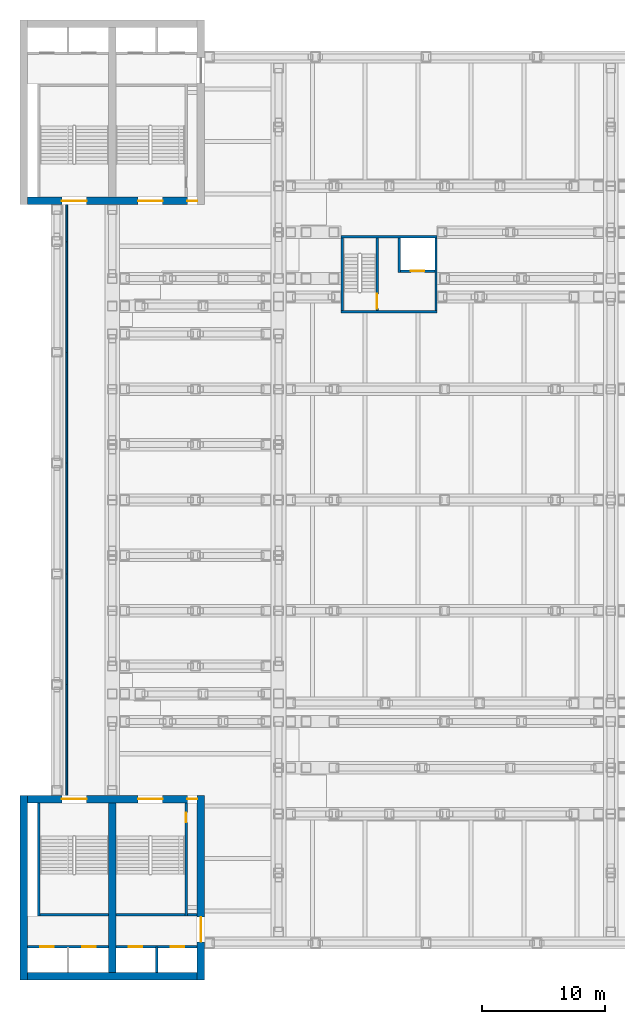
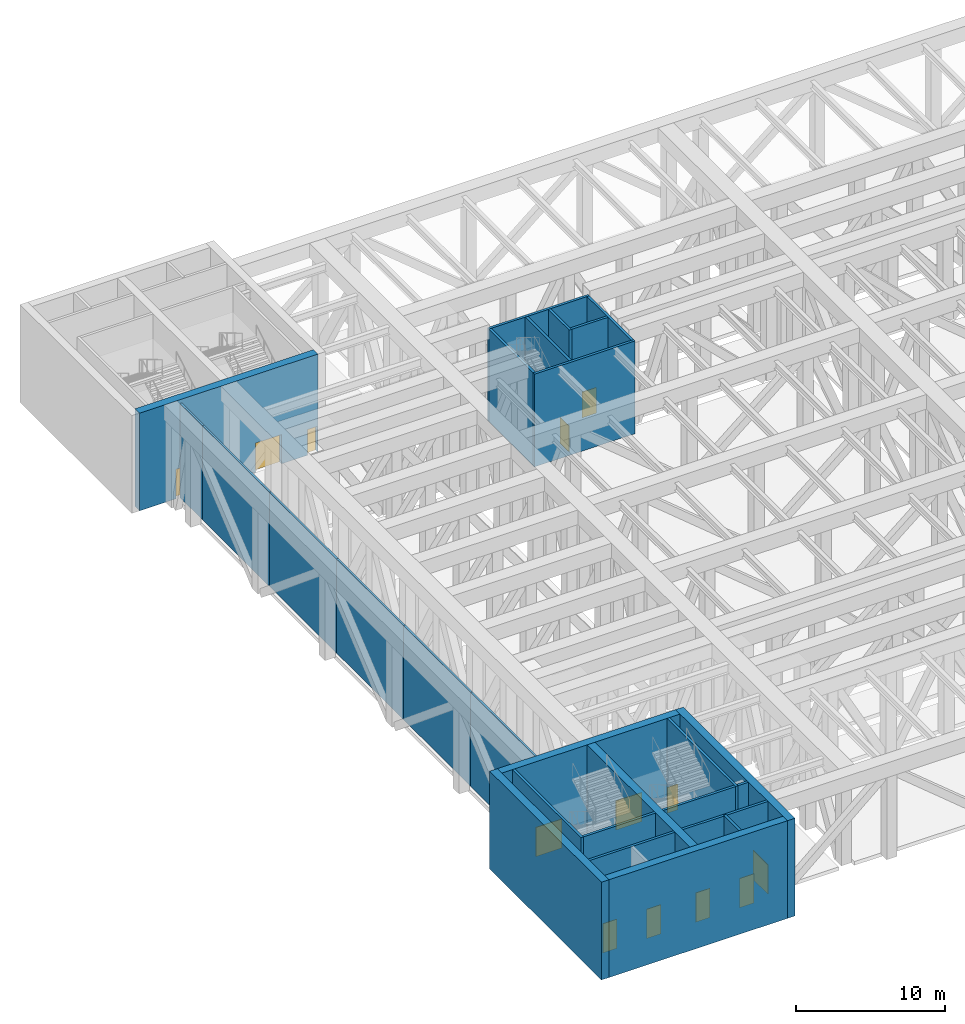
# One storey, part 8 of 20: 27 walls, 14 doors, 14 openings.
"""IFC4 building model written with IfcOpenShell, lengths in metres."""

from ifc_helpers import new_model, si_unit, direction, frame, frame_2d, origin, place, context, subcontext, project, spatial, rectangle, extrude, material, layer, layer_set, type_object, element, fill, save


model = new_model("IFC4")

# Units and contexts
model_context = context("Model", 3, precision=1e-05, world=origin(), true_north=direction((0.0, 1.0)))
body_context = subcontext(model_context, "Body", "Model", "MODEL_VIEW")
ifc_project = project(units=[si_unit("LENGTHUNIT", "METRE"), si_unit("AREAUNIT", "SQUARE_METRE"), si_unit("VOLUMEUNIT", "CUBIC_METRE"), si_unit("PLANEANGLEUNIT", "RADIAN"), si_unit("MASSUNIT", "GRAM", prefix="KILO")], contexts=[model_context])

# Site, building, storey
site_placement = place(None, origin())
site = spatial("IfcSite", under=ifc_project, at=site_placement, CompositionType="ELEMENT")
building_placement = place(site_placement, origin())
building = spatial("IfcBuilding", under=site, at=building_placement, Name="Corbelhall Arena Tower", CompositionType="ELEMENT")
storey_placement = place(building_placement, frame((0.0, 0.0, 52.0)))
storey = spatial("IfcBuildingStorey", under=building, at=storey_placement, Name="L07", CompositionType="ELEMENT", Elevation=52.0)

# Walls
ifc_material_1 = material(Name="Aluminium louvre panels on a steel frame", Category="steel")
ifc_layer_1 = layer(ifc_material_1, 0.14990234375)
ifc_layer_set_1 = layer_set([ifc_layer_1], Name="AR-PLANT-LOUVRE")
wall_type_1 = type_object("IfcWallType", Name="AR-PLANT-LOUVRE", PredefinedType="SOLIDWALL", material=ifc_layer_set_1)
for number, where, z_axis, x_axis, name in (
    (1, (-44.199951171875, -24.0, 0.0), (0.0, 0.0, 1.0), (0.0, 1.0, 0.0), "Plant louvre wall W1"),
    (2, (-44.199951171875, -15.0, 0.0), (0.0, 0.0, 1.0), (0.0, 1.0, 0.0), "Plant louvre wall W2"),
    (3, (-44.199951171875, -6.0, 0.0), (0.0, 0.0, 1.0), (0.0, 1.0, 0.0), "Plant louvre wall W3"),
    (4, (-44.199951171875, 3.0, 0.0), (0.0, 0.0, 1.0), (0.0, 1.0, 0.0), "Plant louvre wall W4"),
    (5, (-44.199951171875, 12.0, 0.0), (0.0, 0.0, 1.0), (0.0, 1.0, 0.0), "Plant louvre wall W5"),
):
    element("IfcWall", number, at=place(storey_placement, frame(where, z_axis=z_axis, x_axis=x_axis)), inside=storey, type_object=wall_type_1, Name=name, PredefinedType="SOLIDWALL", context=body_context, shape_type="SweptSolid", body=[
        extrude(rectangle(XDim=9.0, YDim=0.14990234375, at=frame_2d((4.5, 0.0))), origin(), (0.0, 0.0, 1.0), 7.699951171875),
    ])
wall_1_placement = place(storey_placement, frame((-44.199951171875, 21.0, 0.0), z_axis=(0.0, 0.0, 1.0), x_axis=(0.0, 1.0, 0.0)))
element("IfcWall", 6, at=wall_1_placement, inside=storey, type_object=wall_type_1, Name="Plant louvre wall W6", PredefinedType="SOLIDWALL", context=body_context, shape_type="SweptSolid", body=[
    extrude(rectangle(XDim=3.0, YDim=0.14990234375, at=frame_2d((1.5, 0.0))), origin(), (0.0, 0.0, 1.0), 7.699951171875),
])
ifc_material_2 = material(Name="Gypsum board on steel studs", Category="steel")
ifc_layer_2 = layer(ifc_material_2, 0.199951171875)
ifc_layer_set_2 = layer_set([ifc_layer_2], Name="AR-ROOM-WALL")
wall_type_2 = type_object("IfcWallType", Name="AR-ROOM-WALL", PredefinedType="PARTITIONING", material=ifc_layer_set_2)
wall_2_placement = place(storey_placement, frame((-34.409912109375, -33.699951171875, 0.0), z_axis=(0.0, 0.0, 1.0), x_axis=(1.0, 0.0, 0.0)))
element("IfcWall", 7, at=wall_2_placement, inside=storey, type_object=wall_type_2, Name="Mechanical plant room 04 wall", PredefinedType="PARTITIONING", context=body_context, shape_type="SweptSolid", body=[
    extrude(rectangle(XDim=0.809814453125, YDim=0.199951171875, at=frame_2d((0.40478515625, 0.0))), origin(), (0.0, 0.0, 1.0), 8.0),
])

# Wall, openings, doors
ifc_material_3 = material(Name="Reinforced concrete C40/50", Category="concrete")
ifc_layer_3 = layer(ifc_material_3, 0.199951171875)
ifc_layer_set_3 = layer_set([ifc_layer_3], Name="AR-SHAFT-WALL")
wall_type_3 = type_object("IfcWallType", Name="AR-SHAFT-WALL", PredefinedType="SHEAR", material=ifc_layer_set_3)
wall_3_placement = place(storey_placement, frame((-47.39990234375, -36.300048828125, 0.0), z_axis=(0.0, 0.0, 1.0), x_axis=(1.0, 0.0, 0.0)))
wall_3 = element("IfcWall", 8, at=wall_3_placement, inside=storey, type_object=wall_type_3, Name="Lift lobby wall SW", PredefinedType="SHEAR", context=body_context, shape_type="SweptSolid", body=[
    extrude(rectangle(XDim=6.599853515625, YDim=0.199951171875, at=frame_2d((3.2998046875, 0.0))), origin(), (0.0, 0.0, 1.0), 8.0),
])
opening_1_placement = place(wall_3_placement, frame((1.050048828125, 0.0, 0.0)))
opening_1 = element("IfcOpeningElement", 9, at=opening_1_placement, cuts=wall_3, Name="Opening LD0284", PredefinedType="OPENING", context=body_context, shape_type="SweptSolid", body=[
    extrude(rectangle(XDim=1.10009765625, YDim=2.39990234375, at=frame_2d((0.550048828125, 1.199951171875))), frame((0.0, 0.10009765625, 0.0), z_axis=(0.0, -1.0, 0.0), x_axis=(1.0, 0.0, 0.0)), (0.0, 0.0, 1.0), 0.199951171875),
])
opening_2_placement = place(wall_3_placement, frame((4.449951171875, 0.0, 0.0)))
opening_2 = element("IfcOpeningElement", 10, at=opening_2_placement, cuts=wall_3, Name="Opening LD0285", PredefinedType="OPENING", context=body_context, shape_type="SweptSolid", body=[
    extrude(rectangle(XDim=1.10009765625, YDim=2.39990234375, at=frame_2d((0.550048828125, 1.199951171875))), frame((0.0, 0.10009765625, 0.0), z_axis=(0.0, -1.0, 0.0), x_axis=(1.0, 0.0, 0.0)), (0.0, 0.0, 1.0), 0.199951171875),
])
ifc_material_4 = material(Name="Stainless steel A4", Category="steel")
door_type_1 = type_object("IfcDoorType", Name="AR-LANDING-DOOR", OperationType="DOUBLE_DOOR_SLIDING", PredefinedType="DOOR", material=ifc_material_4)
door_1_placement = place(opening_1_placement, frame((1.10009765625, 0.0, 0.0), z_axis=(0.0, 0.0, 1.0), x_axis=(-1.0, 0.0, 0.0)))
door_1 = element("IfcDoor", 11, at=door_1_placement, inside=storey, type_object=door_type_1, Name="Landing door SW LF3 L07", OperationType="DOUBLE_DOOR_SLIDING", OverallHeight=2.39990234375, OverallWidth=1.10009765625, PredefinedType="DOOR", context=body_context, shape_type="SweptSolid", body=[
    extrude(rectangle(XDim=1.10009765625, YDim=2.39990234375, at=frame_2d((0.550048828125, 1.199951171875))), frame((0.0, 0.02490234375, 0.0), z_axis=(0.0, -1.0, 0.0), x_axis=(1.0, 0.0, 0.0)), (0.0, 0.0, 1.0), 0.050048828125),
])
fill(opening_1, door_1)
door_2_placement = place(opening_2_placement, frame((1.10009765625, 0.0, 0.0), z_axis=(0.0, 0.0, 1.0), x_axis=(-1.0, 0.0, 0.0)))
door_2 = element("IfcDoor", 12, at=door_2_placement, inside=storey, type_object=door_type_1, Name="Landing door SW LF4 L07", OperationType="DOUBLE_DOOR_SLIDING", OverallHeight=2.39990234375, OverallWidth=1.10009765625, PredefinedType="DOOR", context=body_context, shape_type="SweptSolid", body=[
    extrude(rectangle(XDim=1.10009765625, YDim=2.39990234375, at=frame_2d((0.550048828125, 1.199951171875))), frame((0.0, 0.02490234375, 0.0), z_axis=(0.0, -1.0, 0.0), x_axis=(1.0, 0.0, 0.0)), (0.0, 0.0, 1.0), 0.050048828125),
])
fill(opening_2, door_2)

wall_4_placement = place(storey_placement, frame((-40.199951171875, -36.300048828125, 0.0), z_axis=(0.0, 0.0, 1.0), x_axis=(1.0, 0.0, 0.0)))
wall_4 = element("IfcWall", 13, at=wall_4_placement, inside=storey, type_object=wall_type_3, Name="Lift lobby wall SW", PredefinedType="SHEAR", context=body_context, shape_type="SweptSolid", body=[
    extrude(rectangle(XDim=6.599853515625, YDim=0.199951171875, at=frame_2d((3.2998046875, 0.0))), origin(), (0.0, 0.0, 1.0), 8.0),
])
opening_3_placement = place(wall_4_placement, frame((1.050048828125, 0.0, 0.0)))
opening_3 = element("IfcOpeningElement", 14, at=opening_3_placement, cuts=wall_4, Name="Opening LD0286", PredefinedType="OPENING", context=body_context, shape_type="SweptSolid", body=[
    extrude(rectangle(XDim=1.10009765625, YDim=2.39990234375, at=frame_2d((0.550048828125, 1.199951171875))), frame((0.0, 0.10009765625, 0.0), z_axis=(0.0, -1.0, 0.0), x_axis=(1.0, 0.0, 0.0)), (0.0, 0.0, 1.0), 0.199951171875),
])
opening_4_placement = place(wall_4_placement, frame((4.449951171875, 0.0, 0.0)))
opening_4 = element("IfcOpeningElement", 15, at=opening_4_placement, cuts=wall_4, Name="Opening LD0287", PredefinedType="OPENING", context=body_context, shape_type="SweptSolid", body=[
    extrude(rectangle(XDim=1.10009765625, YDim=2.39990234375, at=frame_2d((0.550048828125, 1.199951171875))), frame((0.0, 0.10009765625, 0.0), z_axis=(0.0, -1.0, 0.0), x_axis=(1.0, 0.0, 0.0)), (0.0, 0.0, 1.0), 0.199951171875),
])
door_3_placement = place(opening_3_placement, frame((1.10009765625, 0.0, 0.0), z_axis=(0.0, 0.0, 1.0), x_axis=(-1.0, 0.0, 0.0)))
door_3 = element("IfcDoor", 16, at=door_3_placement, inside=storey, type_object=door_type_1, Name="Landing door SW LF1 L07", OperationType="DOUBLE_DOOR_SLIDING", OverallHeight=2.39990234375, OverallWidth=1.10009765625, PredefinedType="DOOR", context=body_context, shape_type="SweptSolid", body=[
    extrude(rectangle(XDim=1.10009765625, YDim=2.39990234375, at=frame_2d((0.550048828125, 1.199951171875))), frame((0.0, 0.02490234375, 0.0), z_axis=(0.0, -1.0, 0.0), x_axis=(1.0, 0.0, 0.0)), (0.0, 0.0, 1.0), 0.050048828125),
])
fill(opening_3, door_3)
door_4_placement = place(opening_4_placement, frame((1.10009765625, 0.0, 0.0), z_axis=(0.0, 0.0, 1.0), x_axis=(-1.0, 0.0, 0.0)))
door_4 = element("IfcDoor", 17, at=door_4_placement, inside=storey, type_object=door_type_1, Name="Landing door SW LF2 L07", OperationType="DOUBLE_DOOR_SLIDING", OverallHeight=2.39990234375, OverallWidth=1.10009765625, PredefinedType="DOOR", context=body_context, shape_type="SweptSolid", body=[
    extrude(rectangle(XDim=1.10009765625, YDim=2.39990234375, at=frame_2d((0.550048828125, 1.199951171875))), frame((0.0, 0.02490234375, 0.0), z_axis=(0.0, -1.0, 0.0), x_axis=(1.0, 0.0, 0.0)), (0.0, 0.0, 1.0), 0.050048828125),
])
fill(opening_4, door_4)

# Wall
wall_5_placement = place(storey_placement, frame((-36.89990234375, -38.39990234375, 0.0), z_axis=(0.0, 0.0, 1.0), x_axis=(0.0, 1.0, 0.0)))
element("IfcWall", 18, at=wall_5_placement, inside=storey, type_object=wall_type_3, Name="Shaft wall SW", PredefinedType="SHEAR", context=body_context, shape_type="SweptSolid", body=[
    extrude(rectangle(XDim=2.099853515625, YDim=0.199951171875, at=frame_2d((1.0498046875, 0.0))), origin(), (0.0, 0.0, 1.0), 8.0),
])

# Wall, opening, door
ifc_layer_4 = layer(ifc_material_3, 0.199951171875)
ifc_layer_set_4 = layer_set([ifc_layer_4], Name="AR-STAIR-WALL")
wall_type_4 = type_object("IfcWallType", Name="AR-STAIR-WALL", PredefinedType="SOLIDWALL", material=ifc_layer_set_4)
wall_6_placement = place(storey_placement, frame((-34.510009765625, -33.800048828125, 0.0), z_axis=(0.0, 0.0, 1.0), x_axis=(0.0, 1.0, 0.0)))
wall_6 = element("IfcWall", 19, at=wall_6_placement, inside=storey, type_object=wall_type_4, Name="Stair AS7 wall", PredefinedType="SOLIDWALL", context=body_context, shape_type="SweptSolid", body=[
    extrude(rectangle(XDim=9.199951171875, YDim=0.199951171875, at=frame_2d((4.60009765625, 0.0))), origin(), (0.0, 0.0, 1.0), 8.0),
])
opening_5_placement = place(wall_6_placement, frame((7.60009765625, 0.0, 0.0)))
opening_5 = element("IfcOpeningElement", 20, at=opening_5_placement, cuts=wall_6, Name="Opening DA0474", PredefinedType="OPENING", context=body_context, shape_type="SweptSolid", body=[
    extrude(rectangle(XDim=0.800048828125, YDim=2.10009765625, at=frame_2d((0.39990234375, 1.050048828125))), frame((0.0, 0.10009765625, 0.0), z_axis=(0.0, -1.0, 0.0), x_axis=(1.0, 0.0, 0.0)), (0.0, 0.0, 1.0), 0.199951171875),
])
ifc_material_5 = material(Name="Steel", Category="steel")
door_type_2 = type_object("IfcDoorType", Name="AR-PLANT-DOOR", OperationType="SINGLE_SWING_LEFT", PredefinedType="DOOR", material=ifc_material_5)
door_5_placement = place(opening_5_placement, origin())
door_5 = element("IfcDoor", 21, at=door_5_placement, inside=storey, type_object=door_type_2, Name="Mechanical plant room 04 stair door", OperationType="SINGLE_SWING_LEFT", OverallHeight=2.10009765625, OverallWidth=0.800048828125, PredefinedType="DOOR", context=body_context, shape_type="SweptSolid", body=[
    extrude(rectangle(XDim=0.800048828125, YDim=2.10009765625, at=frame_2d((0.39990234375, 1.050048828125))), frame((0.0, 0.02490234375, 0.0), z_axis=(0.0, -1.0, 0.0), x_axis=(1.0, 0.0, 0.0)), (0.0, 0.0, 1.0), 0.050048828125),
])
fill(opening_5, door_5)

# Walls
wall_7_placement = place(storey_placement, frame((-40.199951171875, -33.699951171875, 0.0), z_axis=(0.0, 0.0, 1.0), x_axis=(1.0, 0.0, 0.0)))
element("IfcWall", 22, at=wall_7_placement, inside=storey, type_object=wall_type_4, Name="Stair AS7 wall", PredefinedType="SOLIDWALL", context=body_context, shape_type="SweptSolid", body=[
    extrude(rectangle(XDim=5.58984375, YDim=0.199951171875, at=frame_2d((2.794921875, 0.0))), origin(), (0.0, 0.0, 1.0), 8.0),
])
wall_8_placement = place(storey_placement, frame((-46.489990234375, -33.800048828125, 0.0), z_axis=(0.0, 0.0, 1.0), x_axis=(0.0, 1.0, 0.0)))
element("IfcWall", 23, at=wall_8_placement, inside=storey, type_object=wall_type_4, Name="Stair AS8 wall", PredefinedType="SOLIDWALL", context=body_context, shape_type="SweptSolid", body=[
    extrude(rectangle(XDim=9.199951171875, YDim=0.199951171875, at=frame_2d((4.60009765625, 0.0))), origin(), (0.0, 0.0, 1.0), 8.0),
])
wall_9_placement = place(storey_placement, frame((-46.389892578125, -33.699951171875, 0.0), z_axis=(0.0, 0.0, 1.0), x_axis=(1.0, 0.0, 0.0)))
element("IfcWall", 24, at=wall_9_placement, inside=storey, type_object=wall_type_4, Name="Stair AS8 wall", PredefinedType="SOLIDWALL", context=body_context, shape_type="SweptSolid", body=[
    extrude(rectangle(XDim=5.58984375, YDim=0.199951171875, at=frame_2d((2.794921875, 0.0))), origin(), (0.0, 0.0, 1.0), 8.0),
])
ifc_material_6 = material(Name="Concrete C40/50", Category="concrete")
ifc_layer_5 = layer(ifc_material_6, 0.199951171875)
ifc_layer_set_5 = layer_set([ifc_layer_5], Name="IN-W-EAR200")
wall_type_5 = type_object("IfcWallType", Name="IN-W-EAR200", PredefinedType="SOLIDWALL", material=ifc_layer_set_5)
for number, where, z_axis, x_axis, name in (
    (25, (-21.89990234375, 15.300048828125, 0.0), (0.0, 0.0, 1.0), (1.0, 0.0, 0.0), "Fire service turret wall south"),
    (26, (-21.89990234375, 21.39990234375, 0.0), (0.0, 0.0, 1.0), (1.0, 0.0, 0.0), "Fire service turret wall north"),
):
    element("IfcWall", number, at=place(storey_placement, frame(where, z_axis=z_axis, x_axis=x_axis)), inside=storey, type_object=wall_type_5, Name=name, PredefinedType="SOLIDWALL", context=body_context, shape_type="SweptSolid", body=[
        extrude(rectangle(XDim=7.7998046875, YDim=0.199951171875, at=frame_2d((3.89990234375, 0.0))), origin(), (0.0, 0.0, 1.0), 7.590087890625),
    ])
for number, where, z_axis, x_axis, name in (
    (27, (-21.800048828125, 15.39990234375, 0.0), (0.0, 0.0, 1.0), (0.0, 1.0, 0.0), "Fire service turret wall west"),
    (28, (-14.199951171875, 15.39990234375, 0.0), (0.0, 0.0, 1.0), (0.0, 1.0, 0.0), "Fire service turret wall east"),
):
    element("IfcWall", number, at=place(storey_placement, frame(where, z_axis=z_axis, x_axis=x_axis)), inside=storey, type_object=wall_type_5, Name=name, PredefinedType="SOLIDWALL", context=body_context, shape_type="SweptSolid", body=[
        extrude(rectangle(XDim=5.900146484375, YDim=0.199951171875, at=frame_2d((2.9501953125, 0.0))), origin(), (0.0, 0.0, 1.0), 7.590087890625),
    ])

# Wall, opening, door
wall_10_placement = place(storey_placement, frame((-18.989990234375, 15.39990234375, 0.0), z_axis=(0.0, 0.0, 1.0), x_axis=(0.0, 1.0, 0.0)))
wall_10 = element("IfcWall", 29, at=wall_10_placement, inside=storey, type_object=wall_type_5, Name="Fire service turret wall stair", PredefinedType="SOLIDWALL", context=body_context, shape_type="SweptSolid", body=[
    extrude(rectangle(XDim=5.900146484375, YDim=0.199951171875, at=frame_2d((2.9501953125, 0.0))), origin(), (0.0, 0.0, 1.0), 7.590087890625),
])
opening_6_placement = place(wall_10_placement, frame((0.14990234375, 0.0, 0.0)))
opening_6 = element("IfcOpeningElement", 30, at=opening_6_placement, cuts=wall_10, Name="Opening E071", PredefinedType="OPENING", context=body_context, shape_type="SweptSolid", body=[
    extrude(rectangle(XDim=1.199951171875, YDim=2.10009765625, at=frame_2d((0.60009765625, 1.050048828125))), frame((0.0, 0.10009765625, 0.0), z_axis=(0.0, -1.0, 0.0), x_axis=(1.0, 0.0, 0.0)), (0.0, 0.0, 1.0), 0.199951171875),
])
ifc_material_7 = material(Name="Steel door set", Category="steel")
door_type_3 = type_object("IfcDoorType", Name="IN-D-ST120", OperationType="NOTDEFINED", PredefinedType="DOOR", material=ifc_material_7)
door_6_placement = place(opening_6_placement, origin())
door_6 = element("IfcDoor", 31, at=door_6_placement, inside=storey, type_object=door_type_3, Name="Stair door to fire service lobby", OperationType="SINGLE_SWING_LEFT", OverallHeight=2.10009765625, OverallWidth=1.199951171875, PredefinedType="DOOR", context=body_context, shape_type="SweptSolid", body=[
    extrude(rectangle(XDim=1.199951171875, YDim=2.10009765625, at=frame_2d((0.60009765625, 1.050048828125))), frame((0.0, 0.02490234375, 0.0), z_axis=(0.0, -1.0, 0.0), x_axis=(1.0, 0.0, 0.0)), (0.0, 0.0, 1.0), 0.050048828125),
])
fill(opening_6, door_6)

# Wall
wall_11_placement = place(storey_placement, frame((-17.199951171875, 18.5, 0.0), z_axis=(0.0, 0.0, 1.0), x_axis=(0.0, 1.0, 0.0)))
element("IfcWall", 32, at=wall_11_placement, inside=storey, type_object=wall_type_5, Name="Fire service turret wall hoistway west", PredefinedType="SOLIDWALL", context=body_context, shape_type="SweptSolid", body=[
    extrude(rectangle(XDim=2.800048828125, YDim=0.199951171875, at=frame_2d((1.39990234375, 0.0))), origin(), (0.0, 0.0, 1.0), 7.590087890625),
])

# Wall, opening, door
wall_12_placement = place(storey_placement, frame((-17.10009765625, 18.60009765625, 0.0), z_axis=(0.0, 0.0, 1.0), x_axis=(1.0, 0.0, 0.0)))
wall_12 = element("IfcWall", 33, at=wall_12_placement, inside=storey, type_object=wall_type_5, Name="Fire service turret wall hoistway south", PredefinedType="SOLIDWALL", context=body_context, shape_type="SweptSolid", body=[
    extrude(rectangle(XDim=2.800048828125, YDim=0.199951171875, at=frame_2d((1.39990234375, 0.0))), origin(), (0.0, 0.0, 1.0), 7.590087890625),
])
opening_7_placement = place(wall_12_placement, frame((0.85009765625, 0.0, 0.0)))
opening_7 = element("IfcOpeningElement", 34, at=opening_7_placement, cuts=wall_12, Name="Opening LD", PredefinedType="OPENING", context=body_context, shape_type="SweptSolid", body=[
    extrude(rectangle(XDim=1.10009765625, YDim=2.10009765625, at=frame_2d((0.550048828125, 1.050048828125))), frame((0.0, 0.10009765625, 0.0), z_axis=(0.0, -1.0, 0.0), x_axis=(1.0, 0.0, 0.0)), (0.0, 0.0, 1.0), 0.199951171875),
])
door_type_4 = type_object("IfcDoorType", Name="IN-D-LD110", OperationType="NOTDEFINED", PredefinedType="DOOR", material=ifc_material_7)
door_7_placement = place(opening_7_placement, origin())
door_7 = element("IfcDoor", 35, at=door_7_placement, inside=storey, type_object=door_type_4, Name="Landing door FS1", OperationType="SLIDING_TO_LEFT", OverallHeight=2.10009765625, OverallWidth=1.10009765625, PredefinedType="DOOR", context=body_context, shape_type="SweptSolid", body=[
    extrude(rectangle(XDim=1.10009765625, YDim=2.10009765625, at=frame_2d((0.550048828125, 1.050048828125))), frame((0.0, 0.02490234375, 0.0), z_axis=(0.0, -1.0, 0.0), x_axis=(1.0, 0.0, 0.0)), (0.0, 0.0, 1.0), 0.050048828125),
])
fill(opening_7, door_7)

# Wall, openings, doors
ifc_material_8 = material(Name="Concrete C80/95", Category="concrete")
ifc_layer_6 = layer(ifc_material_8, 0.60009765625)
ifc_layer_set_6 = layer_set([ifc_layer_6], Name="PO-CORE-WALL")
wall_type_6 = type_object("IfcWallType", Name="PO-CORE-WALL", PredefinedType="SHEAR", material=ifc_layer_set_6)
wall_13_placement = place(storey_placement, frame((-47.39990234375, 24.300048828125, 0.0), z_axis=(0.0, 0.0, 1.0), x_axis=(1.0, 0.0, 0.0)))
wall_13 = element("IfcWall", 36, at=wall_13_placement, inside=storey, type_object=wall_type_6, Name="CORE NW WALL S L07", PredefinedType="SHEAR", context=body_context, shape_type="SweptSolid", body=[
    extrude(rectangle(XDim=13.7998046875, YDim=0.60009765625, at=frame_2d((6.89990234375, 0.0))), origin(), (0.0, 0.0, 1.0), 8.0),
])
opening_8_placement = place(wall_13_placement, frame((8.9951171875, 0.0, 0.0)))
opening_8 = element("IfcOpeningElement", 37, at=opening_8_placement, cuts=wall_13, Name="Opening DA0076", PredefinedType="OPENING", context=body_context, shape_type="SweptSolid", body=[
    extrude(rectangle(XDim=2.0, YDim=2.39990234375, at=frame_2d((1.0, 1.199951171875))), frame((0.0, 0.300048828125, 0.0), z_axis=(0.0, -1.0, 0.0), x_axis=(1.0, 0.0, 0.0)), (0.0, 0.0, 1.0), 0.60009765625),
])
opening_9_placement = place(wall_13_placement, frame((2.804931640625, 0.0, 0.0)))
opening_9 = element("IfcOpeningElement", 38, at=opening_9_placement, cuts=wall_13, Name="Opening DA0084", PredefinedType="OPENING", context=body_context, shape_type="SweptSolid", body=[
    extrude(rectangle(XDim=2.0, YDim=2.39990234375, at=frame_2d((1.0, 1.199951171875))), frame((0.0, 0.300048828125, 0.0), z_axis=(0.0, -1.0, 0.0), x_axis=(1.0, 0.0, 0.0)), (0.0, 0.0, 1.0), 0.60009765625),
])
opening_10_placement = place(wall_13_placement, frame((12.9951171875, 0.0, 0.0)))
opening_10 = element("IfcOpeningElement", 39, at=opening_10_placement, cuts=wall_13, Name="Opening DA0469", PredefinedType="OPENING", context=body_context, shape_type="SweptSolid", body=[
    extrude(rectangle(XDim=0.800048828125, YDim=2.10009765625, at=frame_2d((0.39990234375, 1.050048828125))), frame((0.0, 0.300048828125, 0.0), z_axis=(0.0, -1.0, 0.0), x_axis=(1.0, 0.0, 0.0)), (0.0, 0.0, 1.0), 0.60009765625),
])
door_8_placement = place(opening_10_placement, origin())
door_8 = element("IfcDoor", 40, at=door_8_placement, inside=storey, type_object=door_type_2, Name="Mechanical plant room 02 door", OperationType="SINGLE_SWING_LEFT", OverallHeight=2.10009765625, OverallWidth=0.800048828125, PredefinedType="DOOR", context=body_context, shape_type="SweptSolid", body=[
    extrude(rectangle(XDim=0.800048828125, YDim=2.10009765625, at=frame_2d((0.39990234375, 1.050048828125))), frame((0.0, 0.02490234375, 0.0), z_axis=(0.0, -1.0, 0.0), x_axis=(1.0, 0.0, 0.0)), (0.0, 0.0, 1.0), 0.050048828125),
])
fill(opening_10, door_8)
ifc_material_9 = material(Name="Steel and glass", Category="steel")
door_type_5 = type_object("IfcDoorType", Name="AR-STAIR-DOOR", OperationType="DOUBLE_DOOR_SINGLE_SWING", PredefinedType="DOOR", material=ifc_material_9)
door_9_placement = place(opening_8_placement, origin())
door_9 = element("IfcDoor", 41, at=door_9_placement, inside=storey, type_object=door_type_5, Name="Stair AS3 door", OperationType="DOUBLE_DOOR_SINGLE_SWING", OverallHeight=2.39990234375, OverallWidth=2.0, PredefinedType="DOOR", context=body_context, shape_type="SweptSolid", body=[
    extrude(rectangle(XDim=2.0, YDim=2.39990234375, at=frame_2d((1.0, 1.199951171875))), frame((0.0, 0.02490234375, 0.0), z_axis=(0.0, -1.0, 0.0), x_axis=(1.0, 0.0, 0.0)), (0.0, 0.0, 1.0), 0.050048828125),
])
fill(opening_8, door_9)
door_10_placement = place(opening_9_placement, origin())
door_10 = element("IfcDoor", 42, at=door_10_placement, inside=storey, type_object=door_type_5, Name="Stair AS4 door", OperationType="DOUBLE_DOOR_SINGLE_SWING", OverallHeight=2.39990234375, OverallWidth=2.0, PredefinedType="DOOR", context=body_context, shape_type="SweptSolid", body=[
    extrude(rectangle(XDim=2.0, YDim=2.39990234375, at=frame_2d((1.0, 1.199951171875))), frame((0.0, 0.02490234375, 0.0), z_axis=(0.0, -1.0, 0.0), x_axis=(1.0, 0.0, 0.0)), (0.0, 0.0, 1.0), 0.050048828125),
])
fill(opening_9, door_10)

wall_14_placement = place(storey_placement, frame((-47.39990234375, -24.300048828125, 0.0), z_axis=(0.0, 0.0, 1.0), x_axis=(1.0, 0.0, 0.0)))
wall_14 = element("IfcWall", 43, at=wall_14_placement, inside=storey, type_object=wall_type_6, Name="CORE SW WALL N L07", PredefinedType="SHEAR", context=body_context, shape_type="SweptSolid", body=[
    extrude(rectangle(XDim=13.7998046875, YDim=0.60009765625, at=frame_2d((6.89990234375, 0.0))), origin(), (0.0, 0.0, 1.0), 8.0),
])
opening_11_placement = place(wall_14_placement, frame((8.9951171875, 0.0, 0.0)))
opening_11 = element("IfcOpeningElement", 44, at=opening_11_placement, cuts=wall_14, Name="Opening DA0108", PredefinedType="OPENING", context=body_context, shape_type="SweptSolid", body=[
    extrude(rectangle(XDim=2.0, YDim=2.39990234375, at=frame_2d((1.0, 1.199951171875))), frame((0.0, 0.300048828125, 0.0), z_axis=(0.0, -1.0, 0.0), x_axis=(1.0, 0.0, 0.0)), (0.0, 0.0, 1.0), 0.60009765625),
])
opening_12_placement = place(wall_14_placement, frame((2.804931640625, 0.0, 0.0)))
opening_12 = element("IfcOpeningElement", 45, at=opening_12_placement, cuts=wall_14, Name="Opening DA0116", PredefinedType="OPENING", context=body_context, shape_type="SweptSolid", body=[
    extrude(rectangle(XDim=2.0, YDim=2.39990234375, at=frame_2d((1.0, 1.199951171875))), frame((0.0, 0.300048828125, 0.0), z_axis=(0.0, -1.0, 0.0), x_axis=(1.0, 0.0, 0.0)), (0.0, 0.0, 1.0), 0.60009765625),
])
opening_13_placement = place(wall_14_placement, frame((12.9951171875, 0.0, 0.0)))
opening_13 = element("IfcOpeningElement", 46, at=opening_13_placement, cuts=wall_14, Name="Opening DA0473", PredefinedType="OPENING", context=body_context, shape_type="SweptSolid", body=[
    extrude(rectangle(XDim=0.800048828125, YDim=2.10009765625, at=frame_2d((0.39990234375, 1.050048828125))), frame((0.0, 0.300048828125, 0.0), z_axis=(0.0, -1.0, 0.0), x_axis=(1.0, 0.0, 0.0)), (0.0, 0.0, 1.0), 0.60009765625),
])
door_11_placement = place(opening_13_placement, origin())
door_11 = element("IfcDoor", 47, at=door_11_placement, inside=storey, type_object=door_type_2, Name="Mechanical plant room 04 door", OperationType="SINGLE_SWING_LEFT", OverallHeight=2.10009765625, OverallWidth=0.800048828125, PredefinedType="DOOR", context=body_context, shape_type="SweptSolid", body=[
    extrude(rectangle(XDim=0.800048828125, YDim=2.10009765625, at=frame_2d((0.39990234375, 1.050048828125))), frame((0.0, 0.02490234375, 0.0), z_axis=(0.0, -1.0, 0.0), x_axis=(1.0, 0.0, 0.0)), (0.0, 0.0, 1.0), 0.050048828125),
])
fill(opening_13, door_11)
door_12_placement = place(opening_11_placement, frame((2.0, 0.0, 0.0), z_axis=(0.0, 0.0, 1.0), x_axis=(-1.0, 0.0, 0.0)))
door_12 = element("IfcDoor", 48, at=door_12_placement, inside=storey, type_object=door_type_5, Name="Stair AS7 door", OperationType="DOUBLE_DOOR_SINGLE_SWING", OverallHeight=2.39990234375, OverallWidth=2.0, PredefinedType="DOOR", context=body_context, shape_type="SweptSolid", body=[
    extrude(rectangle(XDim=2.0, YDim=2.39990234375, at=frame_2d((1.0, 1.199951171875))), frame((0.0, 0.02490234375, 0.0), z_axis=(0.0, -1.0, 0.0), x_axis=(1.0, 0.0, 0.0)), (0.0, 0.0, 1.0), 0.050048828125),
])
fill(opening_11, door_12)
door_13_placement = place(opening_12_placement, frame((2.0, 0.0, 0.0), z_axis=(0.0, 0.0, 1.0), x_axis=(-1.0, 0.0, 0.0)))
door_13 = element("IfcDoor", 49, at=door_13_placement, inside=storey, type_object=door_type_5, Name="Stair AS8 door", OperationType="DOUBLE_DOOR_SINGLE_SWING", OverallHeight=2.39990234375, OverallWidth=2.0, PredefinedType="DOOR", context=body_context, shape_type="SweptSolid", body=[
    extrude(rectangle(XDim=2.0, YDim=2.39990234375, at=frame_2d((1.0, 1.199951171875))), frame((0.0, 0.02490234375, 0.0), z_axis=(0.0, -1.0, 0.0), x_axis=(1.0, 0.0, 0.0)), (0.0, 0.0, 1.0), 0.050048828125),
])
fill(opening_12, door_13)

# Walls
wall_15_placement = place(storey_placement, frame((-47.39990234375, -38.699951171875, 0.0), z_axis=(0.0, 0.0, 1.0), x_axis=(1.0, 0.0, 0.0)))
element("IfcWall", 50, at=wall_15_placement, inside=storey, type_object=wall_type_6, Name="CORE SW WALL S L07", PredefinedType="SHEAR", context=body_context, shape_type="SweptSolid", body=[
    extrude(rectangle(XDim=13.7998046875, YDim=0.60009765625, at=frame_2d((6.89990234375, 0.0))), origin(), (0.0, 0.0, 1.0), 8.0),
])
wall_16_placement = place(storey_placement, frame((-47.699951171875, -39.0, 0.0), z_axis=(0.0, 0.0, 1.0), x_axis=(0.0, 1.0, 0.0)))
element("IfcWall", 51, at=wall_16_placement, inside=storey, type_object=wall_type_6, Name="CORE SW WALL W L07", PredefinedType="SHEAR", context=body_context, shape_type="SweptSolid", body=[
    extrude(rectangle(XDim=15.0, YDim=0.60009765625, at=frame_2d((7.5, 0.0))), origin(), (0.0, 0.0, 1.0), 8.0),
])

# Wall, opening, door
wall_17_placement = place(storey_placement, frame((-33.300048828125, -39.0, 0.0), z_axis=(0.0, 0.0, 1.0), x_axis=(0.0, 1.0, 0.0)))
wall_17 = element("IfcWall", 52, at=wall_17_placement, inside=storey, type_object=wall_type_6, Name="CORE SW WALL E L07", PredefinedType="SHEAR", context=body_context, shape_type="SweptSolid", body=[
    extrude(rectangle(XDim=15.0, YDim=0.60009765625, at=frame_2d((7.5, 0.0))), origin(), (0.0, 0.0, 1.0), 8.0),
])
opening_14_placement = place(wall_17_placement, frame((3.10009765625, 0.0, 0.0)))
opening_14 = element("IfcOpeningElement", 53, at=opening_14_placement, cuts=wall_17, Name="Opening DA0288", PredefinedType="OPENING", context=body_context, shape_type="SweptSolid", body=[
    extrude(rectangle(XDim=2.0, YDim=2.39990234375, at=frame_2d((1.0, 1.199951171875))), frame((0.0, 0.300048828125, 0.0), z_axis=(0.0, -1.0, 0.0), x_axis=(1.0, 0.0, 0.0)), (0.0, 0.0, 1.0), 0.60009765625),
])
door_type_6 = type_object("IfcDoorType", Name="AR-CORE-DOOR", OperationType="DOUBLE_DOOR_SINGLE_SWING", PredefinedType="DOOR", material=ifc_material_9)
door_14_placement = place(opening_14_placement, origin())
door_14 = element("IfcDoor", 54, at=door_14_placement, inside=storey, type_object=door_type_6, Name="Core lobby door SW L07", OperationType="DOUBLE_DOOR_SINGLE_SWING", OverallHeight=2.39990234375, OverallWidth=2.0, PredefinedType="DOOR", context=body_context, shape_type="SweptSolid", body=[
    extrude(rectangle(XDim=2.0, YDim=2.39990234375, at=frame_2d((1.0, 1.199951171875))), frame((0.0, 0.02490234375, 0.0), z_axis=(0.0, -1.0, 0.0), x_axis=(1.0, 0.0, 0.0)), (0.0, 0.0, 1.0), 0.050048828125),
])
fill(opening_14, door_14)

# Wall
wall_18_placement = place(storey_placement, frame((-40.5, -38.39990234375, 0.0), z_axis=(0.0, 0.0, 1.0), x_axis=(0.0, 1.0, 0.0)))
element("IfcWall", 55, at=wall_18_placement, inside=storey, type_object=wall_type_6, Name="CORE SW WALL D L07", PredefinedType="SHEAR", context=body_context, shape_type="SweptSolid", body=[
    extrude(rectangle(XDim=13.7998046875, YDim=0.60009765625, at=frame_2d((6.89990234375, 0.0))), origin(), (0.0, 0.0, 1.0), 8.0),
])

save(model, "model.ifc")
